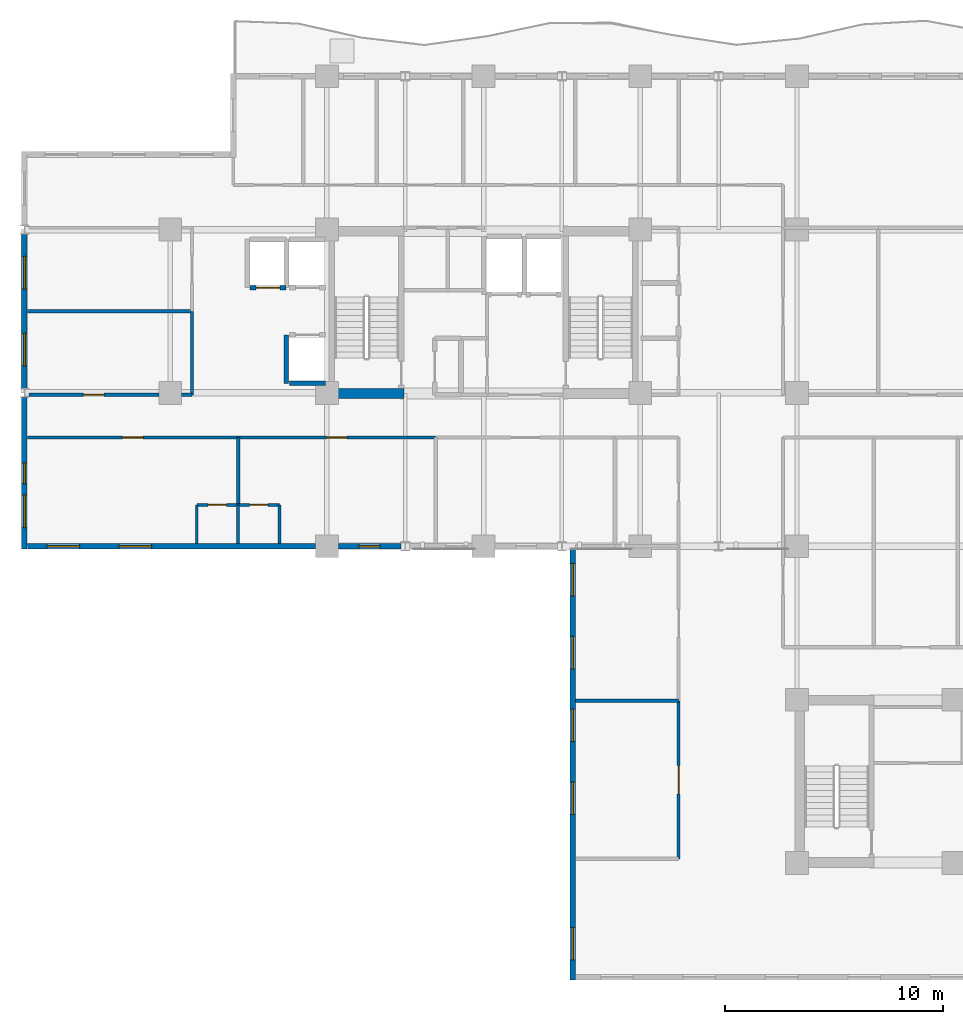
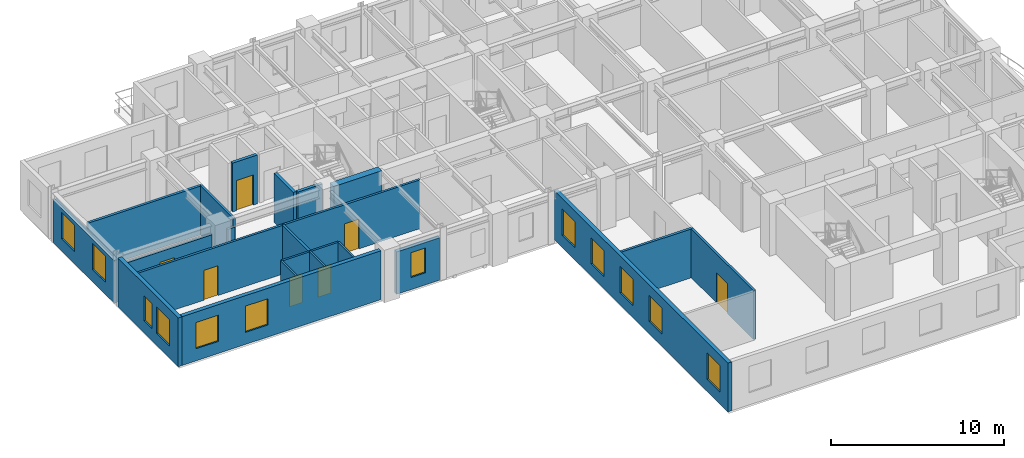
# One storey, part 4 of 13: 23 walls, 12 windows, 7 doors, 19 openings.
"""IFC4 building model written with IfcOpenShell, lengths in metres."""

from ifc_helpers import new_model, si_unit, direction, frame, frame_2d, origin, place, context, subcontext, project, spatial, rectangle, extrude, material, layer, layer_set, type_object, element, fill, save


model = new_model("IFC4")

# Units and contexts
model_context = context("Model", 3, precision=1e-05, world=origin(), true_north=direction((0.0, 1.0)))
body_context = subcontext(model_context, "Body", "Model", "MODEL_VIEW")
ifc_project = project(units=[si_unit("LENGTHUNIT", "METRE"), si_unit("AREAUNIT", "SQUARE_METRE"), si_unit("VOLUMEUNIT", "CUBIC_METRE"), si_unit("PLANEANGLEUNIT", "RADIAN"), si_unit("MASSUNIT", "GRAM", prefix="KILO")], contexts=[model_context])

# Site, building, storey
site_placement = place(None, origin())
site = spatial("IfcSite", under=ifc_project, at=site_placement, CompositionType="ELEMENT")
building_placement = place(site_placement, origin())
building = spatial("IfcBuilding", under=site, at=building_placement, Name="Kaliganga Portal Commons", CompositionType="ELEMENT")
storey_placement = place(building_placement, frame((0.0, 0.0, 166.10009765625)))
storey = spatial("IfcBuildingStorey", under=building, at=storey_placement, Name="L42", CompositionType="ELEMENT", Elevation=166.10009765625)

# Wall
ifc_material_1 = material(Name="Concrete C60/75", Category="concrete")
ifc_layer_1 = layer(ifc_material_1, 0.449951171875)
ifc_layer_set_1 = layer_set([ifc_layer_1], Name="Concrete C60/75")
wall_type_1 = type_object("IfcWallType", Name="WL-CORE-450", PredefinedType="SHEAR", material=ifc_layer_set_1)
wall_1_placement = place(storey_placement, frame((14.75, 28.625, 0.0), z_axis=(0.0, 0.0, 1.0), x_axis=(1.0, 0.0, 0.0)))
element("IfcWall", 1, at=wall_1_placement, inside=storey, type_object=wall_type_1, Name="Core A S-West Shear Wall L42", PredefinedType="SHEAR", context=body_context, shape_type="SweptSolid", body=[
    extrude(rectangle(XDim=3.199951171875, YDim=0.449951171875, at=frame_2d((1.60009765625, 0.0))), origin(), (0.0, 0.0, 1.0), 3.4599609375),
])

# Wall, openings, windows
ifc_material_2 = material(Name="Insulated Aluminium-Clad Spandrel Assembly", Category="aluminium")
ifc_layer_2 = layer(ifc_material_2, 0.260009765625)
ifc_layer_set_2 = layer_set([ifc_layer_2], Name="Insulated Aluminium-Clad Spandrel Assembly")
wall_type_2 = type_object("IfcWallType", Name="WL-EXT-SPAND-260", PredefinedType="STANDARD", material=ifc_layer_set_2)
wall_2_placement = place(storey_placement, frame((0.5, 28.85791015625, 0.0), z_axis=(0.0, 0.0, 1.0), x_axis=(0.0, 1.0, 0.0)))
wall_2 = element("IfcWall", 2, at=wall_2_placement, inside=storey, type_object=wall_type_2, Name="Exterior Envelope Wall L42 P1-E09-S2", PredefinedType="STANDARD", context=body_context, shape_type="SweptSolid", body=[
    extrude(rectangle(XDim=7.083984375, YDim=0.260009765625, at=frame_2d((3.5419921875, 0.0))), origin(), (0.0, 0.0, 1.0), 2.989990234375),
])
opening_1_placement = place(wall_2_placement, frame((1.02099609375, 0.0, 0.85009765625)))
opening_1 = element("IfcOpeningElement", 3, at=opening_1_placement, cuts=wall_2, Name="Opening W-02", PredefinedType="OPENING", context=body_context, shape_type="SweptSolid", body=[
    extrude(rectangle(XDim=1.5, YDim=1.85009765625, at=frame_2d((0.75, 0.925048828125))), frame((0.0, 0.14013671875, 0.0), z_axis=(0.0, -1.0, 0.0), x_axis=(1.0, 0.0, 0.0)), (0.0, 0.0, 1.0), 0.280029296875),
])
opening_2_placement = place(wall_2_placement, frame((4.56298828125, 0.0, 0.85009765625)))
opening_2 = element("IfcOpeningElement", 4, at=opening_2_placement, cuts=wall_2, Name="Opening W-02", PredefinedType="OPENING", context=body_context, shape_type="SweptSolid", body=[
    extrude(rectangle(XDim=1.5, YDim=1.85009765625, at=frame_2d((0.75, 0.925048828125))), frame((0.0, 0.14013671875, 0.0), z_axis=(0.0, -1.0, 0.0), x_axis=(1.0, 0.0, 0.0)), (0.0, 0.0, 1.0), 0.280029296875),
])
ifc_material_3 = material(Name="Thermally Broken Aluminium and Low-E Double Glazing", Category="aluminium")
window_type_1 = type_object("IfcWindowType", Name="WIN-STD-1500", PartitioningType="DOUBLE_PANEL_VERTICAL", PredefinedType="WINDOW", material=ifc_material_3)
window_1_placement = place(opening_1_placement, origin())
window_1 = element("IfcWindow", 5, at=window_1_placement, inside=storey, type_object=window_type_1, Name="Facade Window L42-P1E09S2-00", OverallHeight=1.85009765625, OverallWidth=1.5, PartitioningType="SINGLE_PANEL", PredefinedType="WINDOW", context=body_context, shape_type="SweptSolid", body=[
    extrude(rectangle(XDim=1.5, YDim=1.85009765625, at=frame_2d((0.75, 0.925048828125))), frame((0.0, 0.030029296875, 0.0), z_axis=(0.0, -1.0, 0.0), x_axis=(1.0, 0.0, 0.0)), (0.0, 0.0, 1.0), 0.06005859375),
])
fill(opening_1, window_1)
window_2_placement = place(opening_2_placement, origin())
window_2 = element("IfcWindow", 6, at=window_2_placement, inside=storey, type_object=window_type_1, Name="Facade Window L42-P1E09S2-01", OverallHeight=1.85009765625, OverallWidth=1.5, PartitioningType="SINGLE_PANEL", PredefinedType="WINDOW", context=body_context, shape_type="SweptSolid", body=[
    extrude(rectangle(XDim=1.5, YDim=1.85009765625, at=frame_2d((0.75, 0.925048828125))), frame((0.0, 0.030029296875, 0.0), z_axis=(0.0, -1.0, 0.0), x_axis=(1.0, 0.0, 0.0)), (0.0, 0.0, 1.0), 0.06005859375),
])
fill(opening_2, window_2)

wall_3_placement = place(storey_placement, frame((0.5, 21.469970703125, 0.0), z_axis=(0.0, 0.0, 1.0), x_axis=(0.0, 1.0, 0.0)))
wall_3 = element("IfcWall", 7, at=wall_3_placement, inside=storey, type_object=wall_type_2, Name="Exterior Envelope Wall L42 P1-E09-S3", PredefinedType="STANDARD", context=body_context, shape_type="SweptSolid", body=[
    extrude(rectangle(XDim=6.971923828125, YDim=0.260009765625, at=frame_2d((3.48583984375, 0.0))), origin(), (0.0, 0.0, 1.0), 3.43994140625),
])
opening_3_placement = place(wall_3_placement, frame((0.992919921875, 0.0, 0.85009765625)))
opening_3 = element("IfcOpeningElement", 8, at=opening_3_placement, cuts=wall_3, Name="Opening W-02", PredefinedType="OPENING", context=body_context, shape_type="SweptSolid", body=[
    extrude(rectangle(XDim=1.5, YDim=1.85009765625, at=frame_2d((0.75, 0.925048828125))), frame((0.0, 0.14013671875, 0.0), z_axis=(0.0, -1.0, 0.0), x_axis=(1.0, 0.0, 0.0)), (0.0, 0.0, 1.0), 0.280029296875),
])
opening_4_placement = place(wall_3_placement, frame((3.010986328125, 0.0, 0.85009765625)))
opening_4 = element("IfcOpeningElement", 9, at=opening_4_placement, cuts=wall_3, Name="Opening W-04", PredefinedType="OPENING", context=body_context, shape_type="SweptSolid", body=[
    extrude(rectangle(XDim=0.949951171875, YDim=1.75, at=frame_2d((0.47509765625, 0.875))), frame((0.0, 0.14013671875, 0.0), z_axis=(0.0, -1.0, 0.0), x_axis=(1.0, 0.0, 0.0)), (0.0, 0.0, 1.0), 0.280029296875),
])
window_type_2 = type_object("IfcWindowType", Name="WIN-NARROW-950", PartitioningType="SINGLE_PANEL", PredefinedType="WINDOW", material=ifc_material_3)
window_3_placement = place(opening_4_placement, origin())
window_3 = element("IfcWindow", 10, at=window_3_placement, inside=storey, type_object=window_type_2, Name="Facade Window L42-P1E09S3-N0", OverallHeight=1.75, OverallWidth=0.949951171875, PartitioningType="SINGLE_PANEL", PredefinedType="WINDOW", context=body_context, shape_type="SweptSolid", body=[
    extrude(rectangle(XDim=0.949951171875, YDim=1.75, at=frame_2d((0.47509765625, 0.875))), frame((0.0, 0.030029296875, 0.0), z_axis=(0.0, -1.0, 0.0), x_axis=(1.0, 0.0, 0.0)), (0.0, 0.0, 1.0), 0.06005859375),
])
fill(opening_4, window_3)
window_4_placement = place(opening_3_placement, origin())
window_4 = element("IfcWindow", 11, at=window_4_placement, inside=storey, type_object=window_type_1, Name="Facade Window L42-P1E09S3-00", OverallHeight=1.85009765625, OverallWidth=1.5, PartitioningType="SINGLE_PANEL", PredefinedType="WINDOW", context=body_context, shape_type="SweptSolid", body=[
    extrude(rectangle(XDim=1.5, YDim=1.85009765625, at=frame_2d((0.75, 0.925048828125))), frame((0.0, 0.030029296875, 0.0), z_axis=(0.0, -1.0, 0.0), x_axis=(1.0, 0.0, 0.0)), (0.0, 0.0, 1.0), 0.06005859375),
])
fill(opening_3, window_4)

wall_4_placement = place(storey_placement, frame((13.8740234375, 21.60009765625, 0.0), z_axis=(0.0, 0.0, 1.0), x_axis=(-1.0, 0.0, 0.0)))
wall_4 = element("IfcWall", 12, at=wall_4_placement, inside=storey, type_object=wall_type_2, Name="Exterior Envelope Wall L42 P1-E10-S1", PredefinedType="STANDARD", context=body_context, shape_type="SweptSolid", body=[
    extrude(rectangle(XDim=13.239013671875, YDim=0.260009765625, at=frame_2d((6.61962890625, 0.0))), origin(), (0.0, 0.0, 1.0), 3.43994140625),
])
opening_5_placement = place(wall_4_placement, frame((7.5244140625, 0.0, 0.85009765625)))
opening_5 = element("IfcOpeningElement", 13, at=opening_5_placement, cuts=wall_4, Name="Opening W-02", PredefinedType="OPENING", context=body_context, shape_type="SweptSolid", body=[
    extrude(rectangle(XDim=1.5, YDim=1.85009765625, at=frame_2d((0.75, 0.925048828125))), frame((0.0, 0.14013671875, 0.0), z_axis=(0.0, -1.0, 0.0), x_axis=(1.0, 0.0, 0.0)), (0.0, 0.0, 1.0), 0.280029296875),
])
opening_6_placement = place(wall_4_placement, frame((10.833984375, 0.0, 0.85009765625)))
opening_6 = element("IfcOpeningElement", 14, at=opening_6_placement, cuts=wall_4, Name="Opening W-02", PredefinedType="OPENING", context=body_context, shape_type="SweptSolid", body=[
    extrude(rectangle(XDim=1.5, YDim=1.85009765625, at=frame_2d((0.75, 0.925048828125))), frame((0.0, 0.14013671875, 0.0), z_axis=(0.0, -1.0, 0.0), x_axis=(1.0, 0.0, 0.0)), (0.0, 0.0, 1.0), 0.280029296875),
])
window_5_placement = place(opening_5_placement, origin())
window_5 = element("IfcWindow", 15, at=window_5_placement, inside=storey, type_object=window_type_1, Name="Facade Window L42-P1E10S1-02", OverallHeight=1.85009765625, OverallWidth=1.5, PartitioningType="SINGLE_PANEL", PredefinedType="WINDOW", context=body_context, shape_type="SweptSolid", body=[
    extrude(rectangle(XDim=1.5, YDim=1.85009765625, at=frame_2d((0.75, 0.925048828125))), frame((0.0, 0.030029296875, 0.0), z_axis=(0.0, -1.0, 0.0), x_axis=(1.0, 0.0, 0.0)), (0.0, 0.0, 1.0), 0.06005859375),
])
fill(opening_5, window_5)
window_6_placement = place(opening_6_placement, origin())
window_6 = element("IfcWindow", 16, at=window_6_placement, inside=storey, type_object=window_type_1, Name="Facade Window L42-P1E10S1-03", OverallHeight=1.85009765625, OverallWidth=1.5, PartitioningType="SINGLE_PANEL", PredefinedType="WINDOW", context=body_context, shape_type="SweptSolid", body=[
    extrude(rectangle(XDim=1.5, YDim=1.85009765625, at=frame_2d((0.75, 0.925048828125))), frame((0.0, 0.030029296875, 0.0), z_axis=(0.0, -1.0, 0.0), x_axis=(1.0, 0.0, 0.0)), (0.0, 0.0, 1.0), 0.06005859375),
])
fill(opening_6, window_6)

# Wall, opening, window
wall_5_placement = place(storey_placement, frame((17.797119140625, 21.60009765625, 0.0), z_axis=(0.0, 0.0, 1.0), x_axis=(-1.0, 0.0, 0.0)))
wall_5 = element("IfcWall", 17, at=wall_5_placement, inside=storey, type_object=wall_type_2, Name="Exterior Envelope Wall L42 P1-E10-S2", PredefinedType="STANDARD", context=body_context, shape_type="SweptSolid", body=[
    extrude(rectangle(XDim=2.87109375, YDim=0.260009765625, at=frame_2d((1.435546875, 0.0))), origin(), (0.0, 0.0, 1.0), 2.989990234375),
])
opening_7_placement = place(wall_5_placement, frame((0.96044921875, 0.0, 0.85009765625)))
opening_7 = element("IfcOpeningElement", 18, at=opening_7_placement, cuts=wall_5, Name="Opening W-04", PredefinedType="OPENING", context=body_context, shape_type="SweptSolid", body=[
    extrude(rectangle(XDim=0.949951171875, YDim=1.75, at=frame_2d((0.47509765625, 0.875))), frame((0.0, 0.14013671875, 0.0), z_axis=(0.0, -1.0, 0.0), x_axis=(1.0, 0.0, 0.0)), (0.0, 0.0, 1.0), 0.280029296875),
])
window_7_placement = place(opening_7_placement, origin())
window_7 = element("IfcWindow", 19, at=window_7_placement, inside=storey, type_object=window_type_2, Name="Facade Window L42-P1E10S2-00", OverallHeight=1.75, OverallWidth=0.949951171875, PartitioningType="SINGLE_PANEL", PredefinedType="WINDOW", context=body_context, shape_type="SweptSolid", body=[
    extrude(rectangle(XDim=0.949951171875, YDim=1.75, at=frame_2d((0.47509765625, 0.875))), frame((0.0, 0.030029296875, 0.0), z_axis=(0.0, -1.0, 0.0), x_axis=(1.0, 0.0, 0.0)), (0.0, 0.0, 1.0), 0.06005859375),
])
fill(opening_7, window_7)

# Wall, openings, windows
wall_6_placement = place(storey_placement, frame((25.699951171875, 1.669921875, 0.0), z_axis=(0.0, 0.0, 1.0), x_axis=(0.0, 1.0, 0.0)))
wall_6 = element("IfcWall", 20, at=wall_6_placement, inside=storey, type_object=wall_type_2, Name="Exterior Envelope Wall L42 P1-E11-S1", PredefinedType="STANDARD", context=body_context, shape_type="SweptSolid", body=[
    extrude(rectangle(XDim=20.06005859375, YDim=0.260009765625, at=frame_2d((10.030029296875, 0.0))), origin(), (0.0, 0.0, 1.0), 3.43994140625),
])
opening_8_placement = place(wall_6_placement, frame((0.921630859375, 0.0, 0.85009765625)))
opening_8 = element("IfcOpeningElement", 21, at=opening_8_placement, cuts=wall_6, Name="Opening W-02", PredefinedType="OPENING", context=body_context, shape_type="SweptSolid", body=[
    extrude(rectangle(XDim=1.5, YDim=1.85009765625, at=frame_2d((0.75, 0.925048828125))), frame((0.0, 0.14013671875, 0.0), z_axis=(0.0, -1.0, 0.0), x_axis=(1.0, 0.0, 0.0)), (0.0, 0.0, 1.0), 0.280029296875),
])
opening_9_placement = place(wall_6_placement, frame((7.6083984375, 0.0, 0.85009765625)))
opening_9 = element("IfcOpeningElement", 22, at=opening_9_placement, cuts=wall_6, Name="Opening W-02", PredefinedType="OPENING", context=body_context, shape_type="SweptSolid", body=[
    extrude(rectangle(XDim=1.5, YDim=1.85009765625, at=frame_2d((0.75, 0.925048828125))), frame((0.0, 0.14013671875, 0.0), z_axis=(0.0, -1.0, 0.0), x_axis=(1.0, 0.0, 0.0)), (0.0, 0.0, 1.0), 0.280029296875),
])
opening_10_placement = place(wall_6_placement, frame((10.95166015625, 0.0, 0.85009765625)))
opening_10 = element("IfcOpeningElement", 23, at=opening_10_placement, cuts=wall_6, Name="Opening W-02", PredefinedType="OPENING", context=body_context, shape_type="SweptSolid", body=[
    extrude(rectangle(XDim=1.5, YDim=1.85009765625, at=frame_2d((0.75, 0.925048828125))), frame((0.0, 0.14013671875, 0.0), z_axis=(0.0, -1.0, 0.0), x_axis=(1.0, 0.0, 0.0)), (0.0, 0.0, 1.0), 0.280029296875),
])
opening_11_placement = place(wall_6_placement, frame((14.294921875, 0.0, 0.85009765625)))
opening_11 = element("IfcOpeningElement", 24, at=opening_11_placement, cuts=wall_6, Name="Opening W-02", PredefinedType="OPENING", context=body_context, shape_type="SweptSolid", body=[
    extrude(rectangle(XDim=1.5, YDim=1.85009765625, at=frame_2d((0.75, 0.925048828125))), frame((0.0, 0.14013671875, 0.0), z_axis=(0.0, -1.0, 0.0), x_axis=(1.0, 0.0, 0.0)), (0.0, 0.0, 1.0), 0.280029296875),
])
opening_12_placement = place(wall_6_placement, frame((17.63818359375, 0.0, 0.85009765625)))
opening_12 = element("IfcOpeningElement", 25, at=opening_12_placement, cuts=wall_6, Name="Opening W-02", PredefinedType="OPENING", context=body_context, shape_type="SweptSolid", body=[
    extrude(rectangle(XDim=1.5, YDim=1.85009765625, at=frame_2d((0.75, 0.925048828125))), frame((0.0, 0.14013671875, 0.0), z_axis=(0.0, -1.0, 0.0), x_axis=(1.0, 0.0, 0.0)), (0.0, 0.0, 1.0), 0.280029296875),
])
window_8_placement = place(opening_8_placement, origin())
window_8 = element("IfcWindow", 26, at=window_8_placement, inside=storey, type_object=window_type_1, Name="Facade Window L42-P1E11S1-00", OverallHeight=1.85009765625, OverallWidth=1.5, PartitioningType="SINGLE_PANEL", PredefinedType="WINDOW", context=body_context, shape_type="SweptSolid", body=[
    extrude(rectangle(XDim=1.5, YDim=1.85009765625, at=frame_2d((0.75, 0.925048828125))), frame((0.0, 0.030029296875, 0.0), z_axis=(0.0, -1.0, 0.0), x_axis=(1.0, 0.0, 0.0)), (0.0, 0.0, 1.0), 0.06005859375),
])
fill(opening_8, window_8)
window_9_placement = place(opening_9_placement, origin())
window_9 = element("IfcWindow", 27, at=window_9_placement, inside=storey, type_object=window_type_1, Name="Facade Window L42-P1E11S1-02", OverallHeight=1.85009765625, OverallWidth=1.5, PartitioningType="SINGLE_PANEL", PredefinedType="WINDOW", context=body_context, shape_type="SweptSolid", body=[
    extrude(rectangle(XDim=1.5, YDim=1.85009765625, at=frame_2d((0.75, 0.925048828125))), frame((0.0, 0.030029296875, 0.0), z_axis=(0.0, -1.0, 0.0), x_axis=(1.0, 0.0, 0.0)), (0.0, 0.0, 1.0), 0.06005859375),
])
fill(opening_9, window_9)
window_10_placement = place(opening_10_placement, origin())
window_10 = element("IfcWindow", 28, at=window_10_placement, inside=storey, type_object=window_type_1, Name="Facade Window L42-P1E11S1-03", OverallHeight=1.85009765625, OverallWidth=1.5, PartitioningType="SINGLE_PANEL", PredefinedType="WINDOW", context=body_context, shape_type="SweptSolid", body=[
    extrude(rectangle(XDim=1.5, YDim=1.85009765625, at=frame_2d((0.75, 0.925048828125))), frame((0.0, 0.030029296875, 0.0), z_axis=(0.0, -1.0, 0.0), x_axis=(1.0, 0.0, 0.0)), (0.0, 0.0, 1.0), 0.06005859375),
])
fill(opening_10, window_10)
window_11_placement = place(opening_11_placement, origin())
window_11 = element("IfcWindow", 29, at=window_11_placement, inside=storey, type_object=window_type_1, Name="Facade Window L42-P1E11S1-04", OverallHeight=1.85009765625, OverallWidth=1.5, PartitioningType="SINGLE_PANEL", PredefinedType="WINDOW", context=body_context, shape_type="SweptSolid", body=[
    extrude(rectangle(XDim=1.5, YDim=1.85009765625, at=frame_2d((0.75, 0.925048828125))), frame((0.0, 0.030029296875, 0.0), z_axis=(0.0, -1.0, 0.0), x_axis=(1.0, 0.0, 0.0)), (0.0, 0.0, 1.0), 0.06005859375),
])
fill(opening_11, window_11)
window_12_placement = place(opening_12_placement, origin())
window_12 = element("IfcWindow", 30, at=window_12_placement, inside=storey, type_object=window_type_1, Name="Facade Window L42-P1E11S1-05", OverallHeight=1.85009765625, OverallWidth=1.5, PartitioningType="SINGLE_PANEL", PredefinedType="WINDOW", context=body_context, shape_type="SweptSolid", body=[
    extrude(rectangle(XDim=1.5, YDim=1.85009765625, at=frame_2d((0.75, 0.925048828125))), frame((0.0, 0.030029296875, 0.0), z_axis=(0.0, -1.0, 0.0), x_axis=(1.0, 0.0, 0.0)), (0.0, 0.0, 1.0), 0.06005859375),
])
fill(opening_12, window_12)

# Wall, opening, door
ifc_material_4 = material(Name="Fire-Rated Gypsum Board on Steel Stud", Category="steel")
ifc_layer_3 = layer(ifc_material_4, 0.14990234375)
ifc_layer_set_3 = layer_set([ifc_layer_3], Name="Fire-Rated Gypsum Board on Steel Stud")
wall_type_3 = type_object("IfcWallType", Name="WL-PART-CORR-150", PredefinedType="PARTITIONING", material=ifc_layer_set_3)
wall_7_placement = place(storey_placement, frame((0.632080078125, 26.60009765625, 0.0), z_axis=(0.0, 0.0, 1.0), x_axis=(1.0, 0.0, 0.0)))
wall_7 = element("IfcWall", 31, at=wall_7_placement, inside=storey, type_object=wall_type_3, Name="Interior Partition L42-006", PredefinedType="PARTITIONING", context=body_context, shape_type="SweptSolid", body=[
    extrude(rectangle(XDim=9.68798828125, YDim=0.14990234375, at=frame_2d((4.843994140625, 0.0))), origin(), (0.0, 0.0, 1.0), 3.43994140625),
])
opening_13_placement = place(wall_7_placement, frame((4.368896484375, 0.0, 0.0)))
opening_13 = element("IfcOpeningElement", 32, at=opening_13_placement, cuts=wall_7, Name="Opening UD-01", PredefinedType="OPENING", context=body_context, shape_type="SweptSolid", body=[
    extrude(rectangle(XDim=0.949951171875, YDim=2.10009765625, at=frame_2d((0.47509765625, 1.050048828125))), frame((0.0, 0.0849609375, 0.0), z_axis=(0.0, -1.0, 0.0), x_axis=(1.0, 0.0, 0.0)), (0.0, 0.0, 1.0), 0.169921875),
])
ifc_material_5 = material(Name="Solid-Core Timber Acoustic Fire Door", Category="wood")
door_type_1 = type_object("IfcDoorType", Name="DR-UNIT-950", OperationType="NOTDEFINED", PredefinedType="DOOR", material=ifc_material_5)
door_1_placement = place(opening_13_placement, origin())
door_1 = element("IfcDoor", 33, at=door_1_placement, inside=storey, type_object=door_type_1, Name="Interior Door L42-AS01", OperationType="SINGLE_SWING_LEFT", OverallHeight=2.10009765625, OverallWidth=0.949951171875, PredefinedType="DOOR", context=body_context, shape_type="SweptSolid", body=[
    extrude(rectangle(XDim=0.949951171875, YDim=2.10009765625, at=frame_2d((0.47509765625, 1.050048828125))), frame((0.0, 0.02490234375, 0.0), z_axis=(0.0, -1.0, 0.0), x_axis=(1.0, 0.0, 0.0)), (0.0, 0.0, 1.0), 0.050048828125),
])
fill(opening_13, door_1)

wall_8_placement = place(storey_placement, frame((10.320068359375, 26.60009765625, 0.0), z_axis=(0.0, 0.0, 1.0), x_axis=(1.0, 0.0, 0.0)))
wall_8 = element("IfcWall", 34, at=wall_8_placement, inside=storey, type_object=wall_type_3, Name="Interior Partition L42-008", PredefinedType="PARTITIONING", context=body_context, shape_type="SweptSolid", body=[
    extrude(rectangle(XDim=9.079833984375, YDim=0.14990234375, at=frame_2d((4.5400390625, 0.0))), origin(), (0.0, 0.0, 1.0), 3.43994140625),
])
opening_14_placement = place(wall_8_placement, frame((4.06494140625, 0.0, 0.0)))
opening_14 = element("IfcOpeningElement", 35, at=opening_14_placement, cuts=wall_8, Name="Opening UD-01", PredefinedType="OPENING", context=body_context, shape_type="SweptSolid", body=[
    extrude(rectangle(XDim=0.949951171875, YDim=2.10009765625, at=frame_2d((0.47509765625, 1.050048828125))), frame((0.0, 0.0849609375, 0.0), z_axis=(0.0, -1.0, 0.0), x_axis=(1.0, 0.0, 0.0)), (0.0, 0.0, 1.0), 0.169921875),
])
door_2_placement = place(opening_14_placement, origin())
door_2 = element("IfcDoor", 36, at=door_2_placement, inside=storey, type_object=door_type_1, Name="Interior Door L42-AS02", OperationType="SINGLE_SWING_LEFT", OverallHeight=2.10009765625, OverallWidth=0.949951171875, PredefinedType="DOOR", context=body_context, shape_type="SweptSolid", body=[
    extrude(rectangle(XDim=0.949951171875, YDim=2.10009765625, at=frame_2d((0.47509765625, 1.050048828125))), frame((0.0, 0.02490234375, 0.0), z_axis=(0.0, -1.0, 0.0), x_axis=(1.0, 0.0, 0.0)), (0.0, 0.0, 1.0), 0.050048828125),
])
fill(opening_14, door_2)

wall_9_placement = place(storey_placement, frame((0.701904296875, 28.56005859375, 0.0), z_axis=(0.0, 0.0, 1.0), x_axis=(1.0, 0.0, 0.0)))
wall_9 = element("IfcWall", 37, at=wall_9_placement, inside=storey, type_object=wall_type_3, Name="Interior Partition L42-010", PredefinedType="PARTITIONING", context=body_context, shape_type="SweptSolid", body=[
    extrude(rectangle(XDim=5.97314453125, YDim=0.14990234375, at=frame_2d((2.986572265625, 0.0))), origin(), (0.0, 0.0, 1.0), 2.83984375),
])
opening_15_placement = place(wall_9_placement, frame((2.511474609375, 0.0, 0.0)))
opening_15 = element("IfcOpeningElement", 38, at=opening_15_placement, cuts=wall_9, Name="Opening UD-01", PredefinedType="OPENING", context=body_context, shape_type="SweptSolid", body=[
    extrude(rectangle(XDim=0.949951171875, YDim=2.10009765625, at=frame_2d((0.47509765625, 1.050048828125))), frame((0.0, 0.0849609375, 0.0), z_axis=(0.0, -1.0, 0.0), x_axis=(1.0, 0.0, 0.0)), (0.0, 0.0, 1.0), 0.169921875),
])
door_3_placement = place(opening_15_placement, origin())
door_3 = element("IfcDoor", 39, at=door_3_placement, inside=storey, type_object=door_type_1, Name="Interior Door L42-AW01", OperationType="SINGLE_SWING_LEFT", OverallHeight=2.10009765625, OverallWidth=0.949951171875, PredefinedType="DOOR", context=body_context, shape_type="SweptSolid", body=[
    extrude(rectangle(XDim=0.949951171875, YDim=2.10009765625, at=frame_2d((0.47509765625, 1.050048828125))), frame((0.0, 0.02490234375, 0.0), z_axis=(0.0, -1.0, 0.0), x_axis=(1.0, 0.0, 0.0)), (0.0, 0.0, 1.0), 0.050048828125),
])
fill(opening_15, door_3)

# Wall
wall_10_placement = place(storey_placement, frame((7.72509765625, 28.56005859375, 0.0), z_axis=(0.0, 0.0, 1.0), x_axis=(1.0, 0.0, 0.0)))
element("IfcWall", 40, at=wall_10_placement, inside=storey, type_object=wall_type_3, Name="Interior Partition L42-011", PredefinedType="PARTITIONING", context=body_context, shape_type="SweptSolid", body=[
    extrude(rectangle(XDim=0.474853515625, YDim=0.14990234375, at=frame_2d((0.2373046875, 0.0))), origin(), (0.0, 0.0, 1.0), 2.83984375),
])

# Wall, opening, door
wall_11_placement = place(storey_placement, frame((30.56005859375, 7.239990234375, 0.0), z_axis=(0.0, 0.0, 1.0), x_axis=(0.0, 1.0, 0.0)))
wall_11 = element("IfcWall", 41, at=wall_11_placement, inside=storey, type_object=wall_type_3, Name="Interior Partition L42-013", PredefinedType="PARTITIONING", context=body_context, shape_type="SweptSolid", body=[
    extrude(rectangle(XDim=7.260009765625, YDim=0.14990234375, at=frame_2d((3.6298828125, 0.0))), origin(), (0.0, 0.0, 1.0), 3.43994140625),
])
opening_16_placement = place(wall_11_placement, frame((2.97998046875, 0.0, 0.0)))
opening_16 = element("IfcOpeningElement", 42, at=opening_16_placement, cuts=wall_11, Name="Opening RD-03", PredefinedType="OPENING", context=body_context, shape_type="SweptSolid", body=[
    extrude(rectangle(XDim=1.300048828125, YDim=2.1201171875, at=frame_2d((0.64990234375, 1.06005859375))), frame((0.0, 0.0849609375, 0.0), z_axis=(0.0, -1.0, 0.0), x_axis=(1.0, 0.0, 0.0)), (0.0, 0.0, 1.0), 0.169921875),
])
ifc_material_6 = material(Name="Glazed Timber Seminar Vision Door", Category="wood")
door_type_2 = type_object("IfcDoorType", Name="DR-STUDY-1300", OperationType="DOUBLE_DOOR_SINGLE_SWING", PredefinedType="DOOR", material=ifc_material_6)
door_4_placement = place(opening_16_placement, origin())
door_4 = element("IfcDoor", 43, at=door_4_placement, inside=storey, type_object=door_type_2, Name="Interior Door L42-KW01", OperationType="DOUBLE_DOOR_SINGLE_SWING", OverallHeight=2.1201171875, OverallWidth=1.300048828125, PredefinedType="DOOR", context=body_context, shape_type="SweptSolid", body=[
    extrude(rectangle(XDim=1.300048828125, YDim=2.1201171875, at=frame_2d((0.64990234375, 1.06005859375))), frame((0.0, 0.02490234375, 0.0), z_axis=(0.0, -1.0, 0.0), x_axis=(1.0, 0.0, 0.0)), (0.0, 0.0, 1.0), 0.050048828125),
])
fill(opening_16, door_4)

# Walls
wall_12_placement = place(storey_placement, frame((8.199951171875, 28.56005859375, 0.0), z_axis=(0.0, 0.0, 1.0), x_axis=(0.0, 1.0, 0.0)))
element("IfcWall", 44, at=wall_12_placement, inside=storey, type_object=wall_type_3, Name="Interior Partition L42-033", PredefinedType="PARTITIONING", context=body_context, shape_type="SweptSolid", body=[
    extrude(rectangle(XDim=3.83984375, YDim=0.14990234375, at=frame_2d((1.919921875, 0.0))), origin(), (0.0, 0.0, 1.0), 3.43994140625),
])
ifc_material_7 = material(Name="Twin-Stud Acoustic Gypsum Partition", Category="gypsum")
ifc_layer_4 = layer(ifc_material_7, 0.1650390625)
ifc_layer_set_4 = layer_set([ifc_layer_4], Name="Twin-Stud Acoustic Gypsum Partition")
wall_type_4 = type_object("IfcWallType", Name="WL-PART-UNIT-165", PredefinedType="PARTITIONING", material=ifc_layer_set_4)
wall_13_placement = place(storey_placement, frame((0.632080078125, 32.39990234375, 0.0), z_axis=(0.0, 0.0, 1.0), x_axis=(1.0, 0.0, 0.0)))
element("IfcWall", 45, at=wall_13_placement, inside=storey, type_object=wall_type_4, Name="Interior Partition L42-062", PredefinedType="PARTITIONING", context=body_context, shape_type="SweptSolid", body=[
    extrude(rectangle(XDim=7.56787109375, YDim=0.1650390625, at=frame_2d((3.783935546875, 0.0))), origin(), (0.0, 0.0, 1.0), 3.43994140625),
])
wall_14_placement = place(storey_placement, frame((25.83203125, 14.5, 0.0), z_axis=(0.0, 0.0, 1.0), x_axis=(1.0, 0.0, 0.0)))
element("IfcWall", 46, at=wall_14_placement, inside=storey, type_object=wall_type_4, Name="Interior Partition L42-079", PredefinedType="PARTITIONING", context=body_context, shape_type="SweptSolid", body=[
    extrude(rectangle(XDim=4.72802734375, YDim=0.1650390625, at=frame_2d((2.364013671875, 0.0))), origin(), (0.0, 0.0, 1.0), 3.43994140625),
])
wall_15_placement = place(storey_placement, frame((10.320068359375, 23.5, 0.0), z_axis=(0.0, 0.0, 1.0), x_axis=(0.0, 1.0, 0.0)))
element("IfcWall", 47, at=wall_15_placement, inside=storey, type_object=wall_type_4, Name="Interior Partition L42-084", PredefinedType="PARTITIONING", context=body_context, shape_type="SweptSolid", body=[
    extrude(rectangle(XDim=3.10009765625, YDim=0.1650390625, at=frame_2d((1.550048828125, 0.0))), origin(), (0.0, 0.0, 1.0), 3.43994140625),
])

# Wall, opening, door
ifc_material_8 = material(Name="Cement-Board Wet-Room Partition", Category="gypsum")
ifc_layer_5 = layer(ifc_material_8, 0.135009765625)
ifc_layer_set_5 = layer_set([ifc_layer_5], Name="Cement-Board Wet-Room Partition")
wall_type_5 = type_object("IfcWallType", Name="WL-PART-WET-135", PredefinedType="PARTITIONING", material=ifc_layer_set_5)
wall_16_placement = place(storey_placement, frame((8.419921875, 23.5, 0.0), z_axis=(0.0, 0.0, 1.0), x_axis=(1.0, 0.0, 0.0)))
wall_16 = element("IfcWall", 48, at=wall_16_placement, inside=storey, type_object=wall_type_5, Name="Interior Partition L42-001", PredefinedType="PARTITIONING", context=body_context, shape_type="SweptSolid", body=[
    extrude(rectangle(XDim=1.900146484375, YDim=0.135009765625, at=frame_2d((0.9501953125, 0.0))), origin(), (0.0, 0.0, 1.0), 3.43994140625),
])
opening_17_placement = place(wall_16_placement, frame((0.52490234375, 0.0, 0.0)))
opening_17 = element("IfcOpeningElement", 49, at=opening_17_placement, cuts=wall_16, Name="Opening WD-01", PredefinedType="OPENING", context=body_context, shape_type="SweptSolid", body=[
    extrude(rectangle(XDim=0.85009765625, YDim=2.0400390625, at=frame_2d((0.425048828125, 1.02001953125))), frame((0.0, 0.07763671875, 0.0), z_axis=(0.0, -1.0, 0.0), x_axis=(1.0, 0.0, 0.0)), (0.0, 0.0, 1.0), 0.155029296875),
])
ifc_material_9 = material(Name="Moisture-Resistant Laminate Timber Door", Category="wood")
door_type_3 = type_object("IfcDoorType", Name="DR-WET-850", OperationType="NOTDEFINED", PredefinedType="DOOR", material=ifc_material_9)
door_5_placement = place(opening_17_placement, origin())
door_5 = element("IfcDoor", 50, at=door_5_placement, inside=storey, type_object=door_type_3, Name="Interior Door L42-AS01E", OperationType="SINGLE_SWING_LEFT", OverallHeight=2.0400390625, OverallWidth=0.85009765625, PredefinedType="DOOR", context=body_context, shape_type="SweptSolid", body=[
    extrude(rectangle(XDim=0.85009765625, YDim=2.0400390625, at=frame_2d((0.425048828125, 1.02001953125))), frame((0.0, 0.02490234375, 0.0), z_axis=(0.0, -1.0, 0.0), x_axis=(1.0, 0.0, 0.0)), (0.0, 0.0, 1.0), 0.050048828125),
])
fill(opening_17, door_5)

wall_17_placement = place(storey_placement, frame((10.320068359375, 23.5, 0.0), z_axis=(0.0, 0.0, 1.0), x_axis=(1.0, 0.0, 0.0)))
wall_17 = element("IfcWall", 51, at=wall_17_placement, inside=storey, type_object=wall_type_5, Name="Interior Partition L42-002", PredefinedType="PARTITIONING", context=body_context, shape_type="SweptSolid", body=[
    extrude(rectangle(XDim=1.89990234375, YDim=0.135009765625, at=frame_2d((0.949951171875, 0.0))), origin(), (0.0, 0.0, 1.0), 3.43994140625),
])
opening_18_placement = place(wall_17_placement, frame((0.52490234375, 0.0, 0.0)))
opening_18 = element("IfcOpeningElement", 52, at=opening_18_placement, cuts=wall_17, Name="Opening WD-01", PredefinedType="OPENING", context=body_context, shape_type="SweptSolid", body=[
    extrude(rectangle(XDim=0.85009765625, YDim=2.0400390625, at=frame_2d((0.425048828125, 1.02001953125))), frame((0.0, 0.07763671875, 0.0), z_axis=(0.0, -1.0, 0.0), x_axis=(1.0, 0.0, 0.0)), (0.0, 0.0, 1.0), 0.155029296875),
])
door_6_placement = place(opening_18_placement, origin())
door_6 = element("IfcDoor", 53, at=door_6_placement, inside=storey, type_object=door_type_3, Name="Interior Door L42-AS02E", OperationType="SINGLE_SWING_RIGHT", OverallHeight=2.0400390625, OverallWidth=0.85009765625, PredefinedType="DOOR", context=body_context, shape_type="SweptSolid", body=[
    extrude(rectangle(XDim=0.85009765625, YDim=2.0400390625, at=frame_2d((0.425048828125, 1.02001953125))), frame((0.0, 0.02490234375, 0.0), z_axis=(0.0, -1.0, 0.0), x_axis=(1.0, 0.0, 0.0)), (0.0, 0.0, 1.0), 0.050048828125),
])
fill(opening_18, door_6)

# Walls
for number, where, z_axis, x_axis, name in (
    (54, (8.419921875, 21.73193359375, 0.0), (0.0, 0.0, 1.0), (0.0, 1.0, 0.0), "Interior Partition L42-003"),
    (55, (10.320068359375, 21.73193359375, 0.0), (0.0, 0.0, 1.0), (0.0, 1.0, 0.0), "Interior Partition L42-004"),
    (56, (12.219970703125, 21.73193359375, 0.0), (0.0, 0.0, 1.0), (0.0, 1.0, 0.0), "Interior Partition L42-005"),
):
    element("IfcWall", number, at=place(storey_placement, frame(where, z_axis=z_axis, x_axis=x_axis)), inside=storey, type_object=wall_type_5, Name=name, PredefinedType="PARTITIONING", context=body_context, shape_type="SweptSolid", body=[
        extrude(rectangle(XDim=1.76806640625, YDim=0.135009765625, at=frame_2d((0.884033203125, 0.0))), origin(), (0.0, 0.0, 1.0), 3.43994140625),
    ])
ifc_material_10 = material(Name="Fire-Rated Shaftwall Masonry Assembly", Category="masonry")
ifc_layer_6 = layer(ifc_material_10, 0.199951171875)
ifc_layer_set_6 = layer_set([ifc_layer_6], Name="Fire-Rated Shaftwall Masonry Assembly")
wall_type_6 = type_object("IfcWallType", Name="WL-SHAFT-200", PredefinedType="PARTITIONING", material=ifc_layer_set_6)
wall_18_placement = place(storey_placement, frame((12.675048828125, 29.0849609375, 0.0), z_axis=(0.0, 0.0, 1.0), x_axis=(1.0, 0.0, 0.0)))
element("IfcWall", 57, at=wall_18_placement, inside=storey, type_object=wall_type_6, Name="Lift PL-A4 Hoistway Shaft Wall L42-S", PredefinedType="PARTITIONING", context=body_context, shape_type="SweptSolid", body=[
    extrude(rectangle(XDim=1.64990234375, YDim=0.199951171875, at=frame_2d((0.824951171875, 0.0))), origin(), (0.0, 0.0, 1.0), 3.43994140625),
])
wall_19_placement = place(storey_placement, frame((12.534912109375, 29.0849609375, 0.0), z_axis=(0.0, 0.0, 1.0), x_axis=(0.0, 1.0, 0.0)))
element("IfcWall", 58, at=wall_19_placement, inside=storey, type_object=wall_type_6, Name="Lift PL-A4 Hoistway Shaft Wall L42-W", PredefinedType="PARTITIONING", context=body_context, shape_type="SweptSolid", body=[
    extrude(rectangle(XDim=2.22998046875, YDim=0.199951171875, at=frame_2d((1.114990234375, 0.0))), origin(), (0.0, 0.0, 1.0), 3.43994140625),
])

# Wall, opening, door
wall_20_placement = place(storey_placement, frame((10.875, 33.485107421875, 0.0), z_axis=(0.0, 0.0, 1.0), x_axis=(1.0, 0.0, 0.0)))
wall_20 = element("IfcWall", 59, at=wall_20_placement, inside=storey, type_object=wall_type_6, Name="Lift PL-OBS Hoistway Shaft Wall L42-S", PredefinedType="PARTITIONING", context=body_context, shape_type="SweptSolid", body=[
    extrude(rectangle(XDim=1.64990234375, YDim=0.199951171875, at=frame_2d((0.824951171875, 0.0))), origin(), (0.0, 0.0, 1.0), 3.43994140625),
])
opening_19_placement = place(wall_20_placement, frame((0.27490234375, 0.0, 0.0)))
opening_19 = element("IfcOpeningElement", 60, at=opening_19_placement, cuts=wall_20, Name="Opening LD-01", PredefinedType="OPENING", context=body_context, shape_type="SweptSolid", body=[
    extrude(rectangle(XDim=1.10009765625, YDim=2.1201171875, at=frame_2d((0.550048828125, 1.06005859375))), frame((0.0, 0.10986328125, 0.0), z_axis=(0.0, -1.0, 0.0), x_axis=(1.0, 0.0, 0.0)), (0.0, 0.0, 1.0), 0.219970703125),
])
ifc_material_11 = material(Name="Brushed Stainless Steel 316 Lift Landing Door", Category="steel")
door_type_4 = type_object("IfcDoorType", Name="DR-LIFT-1100", OperationType="SLIDING_TO_LEFT", PredefinedType="DOOR", material=ifc_material_11)
door_7_placement = place(opening_19_placement, origin())
door_7 = element("IfcDoor", 61, at=door_7_placement, inside=storey, type_object=door_type_4, Name="Lift PL-OBS Sliding Landing Door L42", OperationType="SLIDING_TO_LEFT", OverallHeight=2.1201171875, OverallWidth=1.10009765625, PredefinedType="DOOR", context=body_context, shape_type="SweptSolid", body=[
    extrude(rectangle(XDim=1.10009765625, YDim=2.1201171875, at=frame_2d((0.550048828125, 1.06005859375))), frame((0.0, 0.02490234375, 0.0), z_axis=(0.0, -1.0, 0.0), x_axis=(1.0, 0.0, 0.0)), (0.0, 0.0, 1.0), 0.050048828125),
])
fill(opening_19, door_7)

save(model, "model.ifc")
